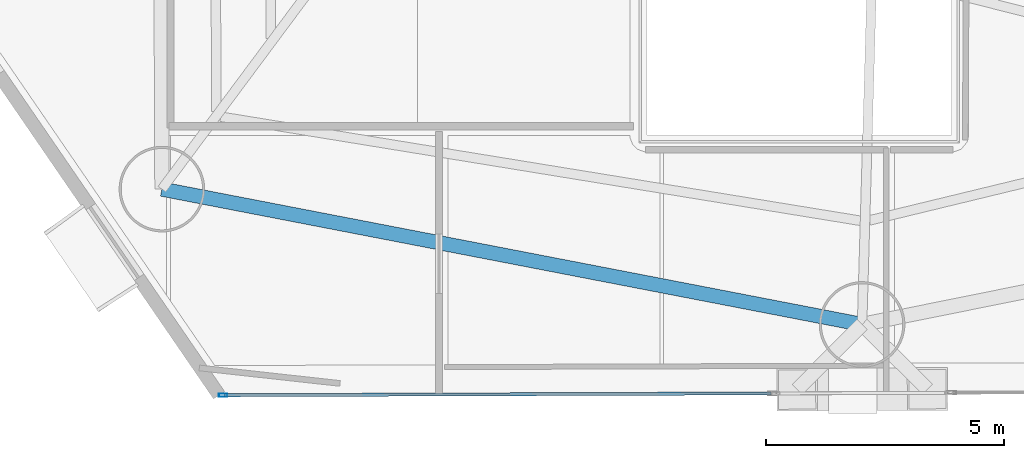
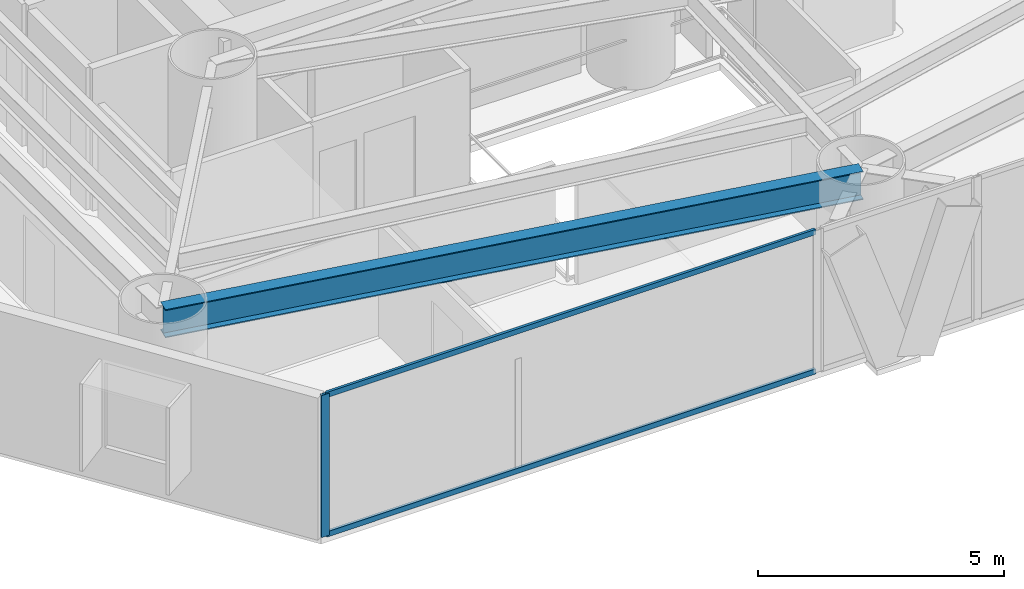
# One storey, part 2 of 22: 3 members, 1 beam, 1 element without a shape of its own.
"""IFC4 building model written with IfcOpenShell, lengths in metres."""

import ifcopenshell
import ifcopenshell.guid

model = None  # the IFC model being written
_history = None  # IfcOwnerHistory: only IFC2X3 demands one
_inside = {}  # id of a spatial element -> (the spatial element, [elements in it])
_under = {}  # id of a project, library or spatial element -> (it, [spatial elements below it])
_declared = {}  # id of a project -> (the project, [libraries it declares])
_typed = {}  # id of a type object -> (the type object, [elements of that type])
_made_of = {}  # id of a material, layer set ... -> (it, [elements and type objects made of it])


def new_model(schema):
    """Start an empty IFC model of exactly this schema.

    Asked for "IFC4X3", IfcOpenShell would pick the latest addendum, in which some entities
    have other attributes; the version numbers below select the first issue.
    IFC2X3 requires an IfcOwnerHistory on every rooted entity: one is made here for all.
    """
    global model, _history
    if schema == "IFC4X3":
        model = ifcopenshell.file(schema_version=(4, 3, 0, 0))
    else:
        model = ifcopenshell.file(schema=schema)
    _inside.clear()
    _under.clear()
    _declared.clear()
    _typed.clear()
    _made_of.clear()
    _history = None
    if model.schema == "IFC2X3":
        org = make("IfcOrganization", Name="unknown")
        user = make(
            "IfcPersonAndOrganization",
            ThePerson=make("IfcPerson", FamilyName="unknown"),
            TheOrganization=org,
        )
        app = make(
            "IfcApplication",
            ApplicationDeveloper=org,
            Version="unknown",
            ApplicationFullName="unknown",
            ApplicationIdentifier="unknown",
        )
        _history = make(
            "IfcOwnerHistory",
            OwningUser=user,
            OwningApplication=app,
            ChangeAction="ADDED",
            CreationDate=0,
        )
    return model


def make(cls, **values):
    """One entity of the class cls with the attributes given. An attribute that is None is left unset."""
    return model.create_entity(
        cls, **{name: value for name, value in values.items() if value is not None}
    )


def rooted(cls, **values):
    """An entity with a GlobalId (a new one), such as an element, a storey or a relation."""
    return make(cls, GlobalId=ifcopenshell.guid.new(), OwnerHistory=_history, **values)


def si_unit(unit_type, name, prefix=None):
    """IfcSIUnit, for example si_unit("LENGTHUNIT", "METRE", prefix="MILLI")."""
    return make("IfcSIUnit", UnitType=unit_type, Prefix=prefix, Name=name)


def assignment(units):
    """IfcUnitAssignment: the units of a project."""
    return None if units is None else make("IfcUnitAssignment", Units=units)


def point(xyz):
    """IfcCartesianPoint."""
    return None if xyz is None else make("IfcCartesianPoint", Coordinates=xyz)


def direction(xyz):
    """IfcDirection."""
    return None if xyz is None else make("IfcDirection", DirectionRatios=xyz)


def frame(location, z_axis=None, x_axis=None):
    """IfcAxis2Placement3D, a coordinate frame: its origin and axes. An axis left out is left unset."""
    return make(
        "IfcAxis2Placement3D",
        Location=point(location),
        Axis=direction(z_axis),
        RefDirection=direction(x_axis),
    )


def frame_2d(location, x_axis=None):
    """IfcAxis2Placement2D, a coordinate frame in the plane: its origin and x axis."""
    return make(
        "IfcAxis2Placement2D", Location=point(location), RefDirection=direction(x_axis)
    )


def origin():
    """The frame at (0, 0, 0) with its axes left unset."""
    return frame((0.0, 0.0, 0.0))


def origin_2d():
    """The frame at (0, 0) in the plane with its x axis left unset."""
    return frame_2d((0.0, 0.0))


def place(relative_to, where):
    """IfcLocalPlacement: puts the frame where relative to a parent placement (None: the world)."""
    return make(
        "IfcLocalPlacement", PlacementRelTo=relative_to, RelativePlacement=where
    )


def context(
    kind, dimensions, precision=None, world=None, true_north=None, identifier=None
):
    """IfcGeometricRepresentationContext, for example the 3D "Model" context."""
    return make(
        "IfcGeometricRepresentationContext",
        ContextIdentifier=identifier,
        ContextType=kind,
        CoordinateSpaceDimension=dimensions,
        Precision=precision,
        WorldCoordinateSystem=world,
        TrueNorth=true_north,
    )


def subcontext(parent, identifier, kind, view, scale=None):
    """IfcGeometricRepresentationSubContext, for example "Body" below "Model"."""
    return make(
        "IfcGeometricRepresentationSubContext",
        ContextIdentifier=identifier,
        ContextType=kind,
        ParentContext=parent,
        TargetScale=scale,
        TargetView=view,
    )


def project(units=None, contexts=None):
    """IfcProject with its units and contexts."""
    return rooted(
        "IfcProject",
        Name="project",
        RepresentationContexts=contexts,
        UnitsInContext=assignment(units),
    )


def spatial(cls, under=None, at=None, **own):
    """A site, building, storey or space (cls), placed at a placement, below another one or the project."""
    s = rooted(cls, ObjectPlacement=at, **own)
    if under is not None:
        _under.setdefault(under.id(), (under, []))[1].append(s)
    return s


def profile(cls, at=None, kind="AREA", **sizes):
    """A parametric profile (cls). Its sizes go by their IFC names, for example OverallWidth=200.0."""
    return make(cls, ProfileType=kind, Position=at, **sizes)


def hollow_rectangle(**sizes):
    """IfcRectangleHollowProfileDef."""
    return profile("IfcRectangleHollowProfileDef", **sizes)


def i_section(**sizes):
    """IfcIShapeProfileDef."""
    return profile("IfcIShapeProfileDef", **sizes)


def extrude(swept, where, along, depth):
    """IfcExtrudedAreaSolid: the profile swept, set in the frame where, extruded along a direction by depth."""
    return make(
        "IfcExtrudedAreaSolid",
        SweptArea=swept,
        Position=where,
        ExtrudedDirection=direction(along),
        Depth=depth,
    )


def shape(context_of_items, identifier, shape_type, items):
    """IfcShapeRepresentation: the items that make up one representation, for example the "Body"."""
    return make(
        "IfcShapeRepresentation",
        ContextOfItems=context_of_items,
        RepresentationIdentifier=identifier,
        RepresentationType=shape_type,
        Items=items,
    )


def material(Name=None, Category=None):
    """IfcMaterial."""
    return make("IfcMaterial", Name=Name, Category=Category)


def layer(
    of_material, thickness, ventilated=None, Name=None, Category=None, Priority=None
):
    """IfcMaterialLayer: one layer of a wall or slab, of a material (None: an air gap)."""
    return make(
        "IfcMaterialLayer",
        Material=of_material,
        LayerThickness=thickness,
        IsVentilated=ventilated,
        Name=Name,
        Category=Category,
        Priority=Priority,
    )


def layer_set(layers, Name=None):
    """IfcMaterialLayerSet."""
    return make("IfcMaterialLayerSet", MaterialLayers=layers, LayerSetName=Name)


def material_profile(
    of_material, cross_section, Name=None, Category=None, Priority=None
):
    """IfcMaterialProfile: a cross section and its material."""
    return make(
        "IfcMaterialProfile",
        Name=Name,
        Material=of_material,
        Profile=cross_section,
        Priority=Priority,
        Category=Category,
    )


def profile_set(profiles, Name=None, composite=None):
    """IfcMaterialProfileSet."""
    return make(
        "IfcMaterialProfileSet",
        Name=Name,
        MaterialProfiles=profiles,
        CompositeProfile=composite,
    )


def made_of(thing, what):
    """Note that an element or type object is made of a material, layer set ...; save() writes the relation."""
    if what is not None:
        _made_of.setdefault(what.id(), (what, []))[1].append(thing)
    return thing


def type_object(cls, material=None, **own):
    """A type object (cls), such as IfcWallType, which elements share."""
    return made_of(rooted(cls, **own), material)


def element(
    cls,
    number,
    at=None,
    inside=None,
    cuts=None,
    type_object=None,
    material=None,
    context=None,
    identifier="Body",
    shape_type=None,
    held_by="IfcProductDefinitionShape",
    body=None,
    shapes=None,
    **own,
):
    """One element of the class cls, such as IfcWall. Its Tag is "e" and its number.

    at: its placement. inside: the storey or other place that contains it. cuts: it is an
    opening in that element (IfcRelVoidsElement). A single representation is given by context,
    identifier, shape_type and body (its items); several are given by shapes. held_by: the class
    of the entity that holds the representations. save() writes the other relations.
    """
    e = rooted(cls, Tag="e%d" % number, ObjectPlacement=at, **own)
    if body is not None:
        shapes = [shape(context, identifier, shape_type, body)]
    if shapes is not None:
        e.Representation = make(held_by, Representations=shapes)
    if inside is not None:
        _inside.setdefault(inside.id(), (inside, []))[1].append(e)
    if cuts is not None:
        rooted(
            "IfcRelVoidsElement", RelatingBuildingElement=cuts, RelatedOpeningElement=e
        )
    if type_object is not None:
        _typed.setdefault(type_object.id(), (type_object, []))[1].append(e)
    return made_of(e, material)


def aggregate(whole, parts):
    """IfcRelAggregates: a whole, such as a stair, and the parts it consists of."""
    return rooted("IfcRelAggregates", RelatingObject=whole, RelatedObjects=parts)


def save(model, path):
    """Write the relations noted so far, then the file.

    IfcRelAggregates (storeys below a building ...), IfcRelContainedInSpatialStructure (elements
    in a storey), IfcRelDefinesByType, IfcRelAssociatesMaterial and IfcRelDeclares: one each for
    every whole, place, type object, material and project.
    """
    for whole, parts in _under.values():
        aggregate(whole, parts)
    for where, things in _inside.values():
        rooted(
            "IfcRelContainedInSpatialStructure",
            RelatedElements=things,
            RelatingStructure=where,
        )
    for kind, things in _typed.values():
        rooted("IfcRelDefinesByType", RelatedObjects=things, RelatingType=kind)
    for what, things in _made_of.values():
        rooted("IfcRelAssociatesMaterial", RelatedObjects=things, RelatingMaterial=what)
    for by, libraries in _declared.values():
        rooted("IfcRelDeclares", RelatingContext=by, RelatedDefinitions=libraries)
    model.write(path)


model = new_model("IFC4")

# Units and contexts
model_context = context("Model", 3, precision=1e-05, world=origin(), true_north=direction((0.0, 1.0)))
body_context = subcontext(model_context, "Body", "Model", "MODEL_VIEW")
ifc_project = project(units=[si_unit("LENGTHUNIT", "METRE"), si_unit("AREAUNIT", "SQUARE_METRE"), si_unit("VOLUMEUNIT", "CUBIC_METRE"), si_unit("PLANEANGLEUNIT", "RADIAN"), si_unit("MASSUNIT", "GRAM", prefix="KILO")], contexts=[model_context])

# Site, building, storey
site_placement = place(None, origin())
site = spatial("IfcSite", under=ifc_project, at=site_placement, CompositionType="ELEMENT")
building_placement = place(site_placement, origin())
building = spatial("IfcBuilding", under=site, at=building_placement, Name="Qianvela Tower", CompositionType="ELEMENT")
storey_placement = place(building_placement, frame((0.0, 0.0, 40.5)))
storey = spatial("IfcBuildingStorey", under=building, at=storey_placement, Name="L09", CompositionType="ELEMENT", Elevation=40.5)

# Beam
ifc_material_1 = material(Name="Steel Q355B", Category="steel")
ifc_material_profile_1 = material_profile(ifc_material_1, i_section(OverallWidth=0.300048828125, OverallDepth=0.699951171875, WebThickness=0.012939453125, FlangeThickness=0.02392578125, at=origin_2d()), Name="HN700x300x13x24")
ifc_profile_set_1 = profile_set([ifc_material_profile_1], Name="Steel Q355B")
beam_type = type_object("IfcBeamType", Name="BM-HN700-SPAND", PredefinedType="SPANDREL", material=ifc_profile_set_1)
beam_placement = place(storey_placement, frame((23.404052734375, 16.860107421875, 3.16796875), z_axis=(0.981833040292, -0.189746886646, 0.0), x_axis=(0.189746886646, 0.981833040292, 0.0)))
element("IfcBeam", 1, at=beam_placement, inside=storey, type_object=beam_type, Name="L09 Perimeter Ring Spandrel Girder 5", PredefinedType="SPANDREL", context=body_context, shape_type="SweptSolid", body=[
    extrude(i_section(OverallWidth=0.300048828125, OverallDepth=0.699951171875, WebThickness=0.012939453125, FlangeThickness=0.02392578125, at=origin_2d()), origin(), (0.0, 0.0, 1.0), 14.98828125),
])

# Curtain wall, members
ifc_material_2 = material(Name="Anodised Architectural Aluminium and Low-E Glass", Category="aluminium")
ifc_layer = layer(ifc_material_2, 0.179931640625)
ifc_layer_set = layer_set([ifc_layer], Name="Anodised Architectural Aluminium and Low-E Glass")
curtain_wall_type = type_object("IfcCurtainWallType", Name="CW-COLIV-Z12", PredefinedType="USERDEFINED", material=ifc_layer_set)
curtain_wall_placement = place(storey_placement, origin())
curtain_wall = element("IfcCurtainWall", 2, at=curtain_wall_placement, inside=storey, type_object=curtain_wall_type, Name="L09 CW-COLIV-Z12 Curtain Wall 06A", ObjectType="CURTAIN_WALL_SYSTEM", PredefinedType="USERDEFINED")
ifc_material_3 = material(Name="Anodised Architectural Aluminium 6063-T6", Category="aluminium")
ifc_material_profile_2 = material_profile(ifc_material_3, hollow_rectangle(XDim=0.070068359375, YDim=0.179931640625, WallThickness=0.0048828125, at=origin_2d()), Name="ALU-MULL-70x180")
ifc_profile_set_2 = profile_set([ifc_material_profile_2], Name="Anodised Architectural Aluminium 6063-T6")
member_type_1 = type_object("IfcMemberType", Name="CW-COLIV-Z12-MULL", PredefinedType="MULLION", material=ifc_profile_set_2)
member_1_placement = place(storey_placement, frame((24.689453125, 12.52783203125, 0.0), z_axis=(0.0, 0.0, 1.0), x_axis=(-0.00336489804, 0.999994338715, 0.0)))
member_1 = element("IfcMember", 3, at=member_1_placement, type_object=member_type_1, Name="CW-3 mullion 1", PredefinedType="MULLION", context=body_context, shape_type="SweptSolid", body=[
    extrude(hollow_rectangle(XDim=0.070068359375, YDim=0.179931640625, WallThickness=0.0048828125, at=origin_2d()), origin(), (0.0, 0.0, 1.0), 3.52001953125),
])
ifc_material_4 = material(Name="Anodised Architectural Aluminium 6063-T6", Category="aluminium")
ifc_material_profile_3 = material_profile(ifc_material_4, hollow_rectangle(XDim=0.06494140625, YDim=0.1298828125, WallThickness=0.00439453125, at=origin_2d()), Name="ALU-TRAN-65x130")
ifc_profile_set_3 = profile_set([ifc_material_profile_3], Name="Anodised Architectural Aluminium 6063-T6")
member_type_2 = type_object("IfcMemberType", Name="CW-COLIV-Z12-TRAN", PredefinedType="USERDEFINED", material=ifc_profile_set_3)
member_2_placement = place(storey_placement, frame((24.724365234375, 12.52783203125, 0.032470703125), z_axis=(0.99999428313, 0.003381376611, 0.0), x_axis=(-0.003381376611, 0.99999428313, 0.0)))
member_2 = element("IfcMember", 4, at=member_2_placement, type_object=member_type_2, Name="CW-3 transom 1.1", ObjectType="TRANSOM", PredefinedType="USERDEFINED", context=body_context, shape_type="SweptSolid", body=[
    extrude(hollow_rectangle(XDim=0.06494140625, YDim=0.1298828125, WallThickness=0.00439453125, at=origin_2d()), origin(), (0.0, 0.0, 1.0), 11.47998046875),
])
member_3_placement = place(storey_placement, frame((24.724365234375, 12.52783203125, 3.487548828125), z_axis=(0.99999428313, 0.003381376611, 0.0), x_axis=(-0.003381376611, 0.99999428313, 0.0)))
member_3 = element("IfcMember", 5, at=member_3_placement, type_object=member_type_2, Name="CW-3 transom 1.2", ObjectType="TRANSOM", PredefinedType="USERDEFINED", context=body_context, shape_type="SweptSolid", body=[
    extrude(hollow_rectangle(XDim=0.06494140625, YDim=0.1298828125, WallThickness=0.00439453125, at=origin_2d()), origin(), (0.0, 0.0, 1.0), 11.47998046875),
])
aggregate(curtain_wall, [member_1, member_2, member_3])

save(model, "model.ifc")
